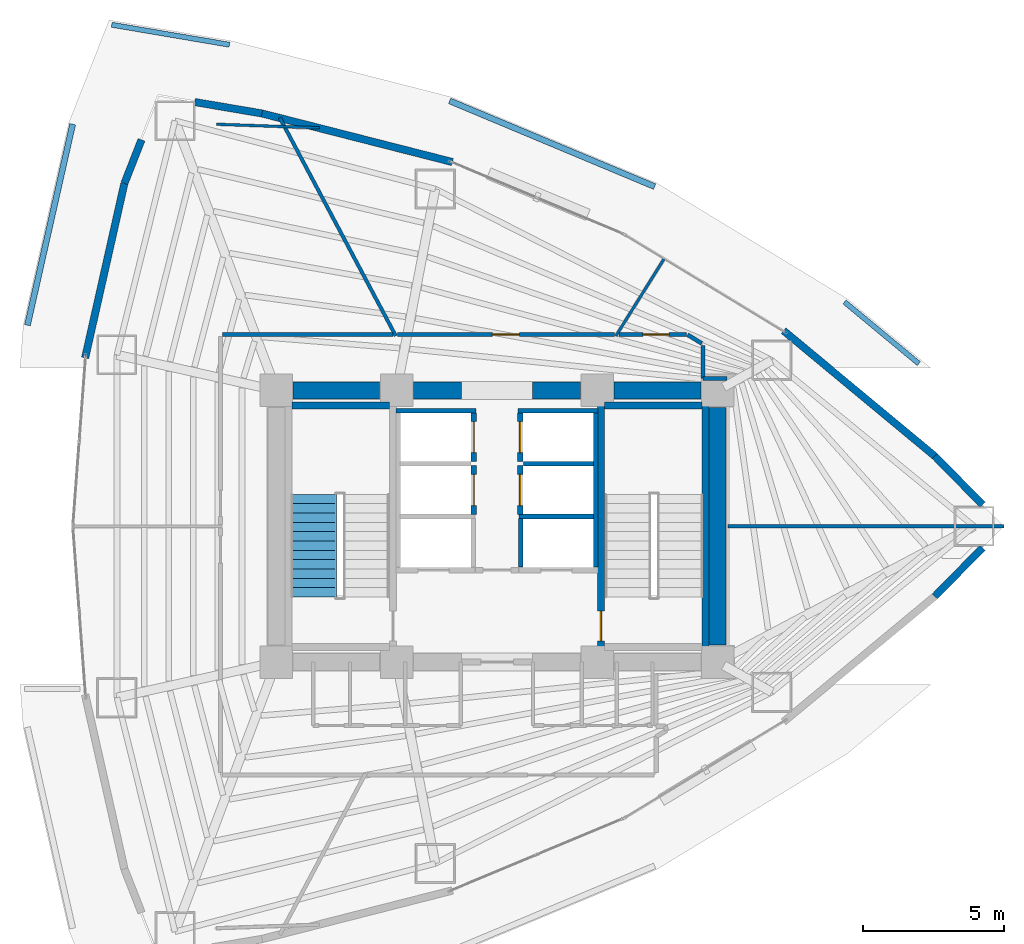
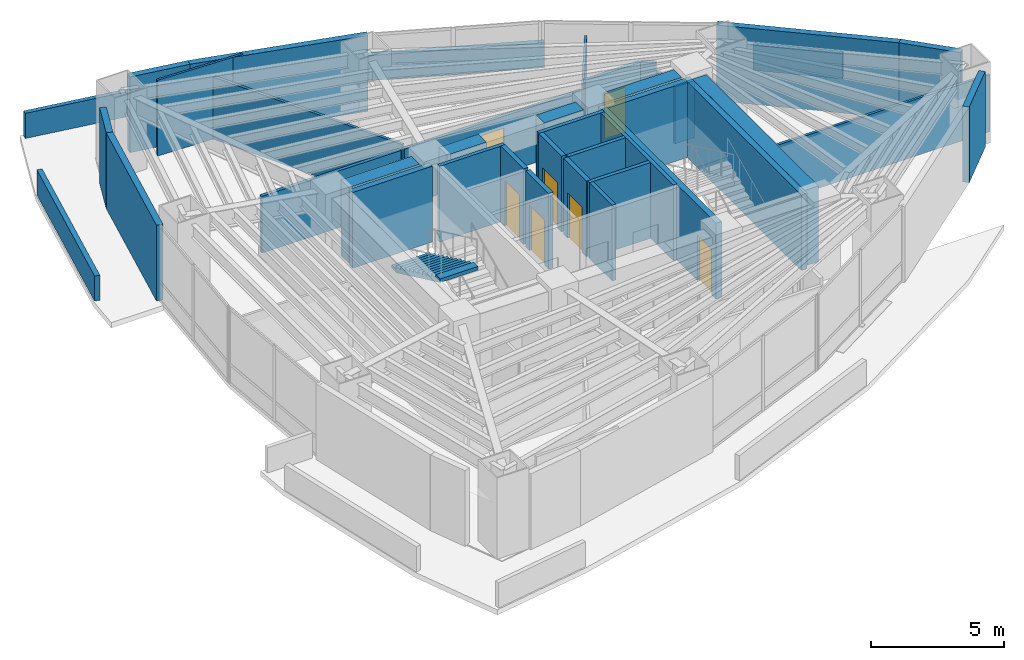
# One storey, part 14 of 17: 40 walls, 7 doors, 1 stair flight, 7 openings, 1 element without a shape of its own.
"""IFC4 building model written with IfcOpenShell, lengths in metres."""

from ifc_helpers import new_model, si_unit, direction, frame, frame_2d, origin, place, context, subcontext, project, spatial, polyline, rectangle, outline, extrude, material, layer, layer_set, type_object, element, fill, aggregate, save


model = new_model("IFC4")

# Units and contexts
model_context = context("Model", 3, precision=1e-05, world=origin(), true_north=direction((0.0, 1.0)))
body_context = subcontext(model_context, "Body", "Model", "MODEL_VIEW")
ifc_project = project(units=[si_unit("LENGTHUNIT", "METRE"), si_unit("AREAUNIT", "SQUARE_METRE"), si_unit("VOLUMEUNIT", "CUBIC_METRE"), si_unit("PLANEANGLEUNIT", "RADIAN"), si_unit("MASSUNIT", "GRAM", prefix="KILO")], contexts=[model_context])

# Site, building, storey
site_placement = place(None, origin())
site = spatial("IfcSite", under=ifc_project, at=site_placement, CompositionType="ELEMENT")
building_placement = place(site_placement, origin())
building = spatial("IfcBuilding", under=site, at=building_placement, Name="Menara Vayukalpa", CompositionType="ELEMENT")
storey_placement = place(building_placement, frame((0.0, 0.0, 27.60009765625)))
storey = spatial("IfcBuildingStorey", under=building, at=storey_placement, Name="L05", CompositionType="ELEMENT", Elevation=27.60009765625)

# Walls
ifc_material_1 = material(Name="Concrete C70/85", Category="concrete")
ifc_layer_1 = layer(ifc_material_1, 0.60009765625)
ifc_layer_set_1 = layer_set([ifc_layer_1], Name="Concrete C70/85")
wall_type_1 = type_object("IfcWallType", Name="WAL-CW600", PredefinedType="SHEAR", material=ifc_layer_set_1)
wall_1_placement = place(storey_placement, frame((18.39501953125, 26.800048828125, 0.0), z_axis=(0.0, 0.0, 1.0), x_axis=(1.0, 0.0, 0.0)))
element("IfcWall", 1, at=wall_1_placement, inside=storey, type_object=wall_type_1, Name="L05 Buttressed Core Shear Wall CWN1", PredefinedType="SHEAR", context=body_context, shape_type="SweptSolid", body=[
    extrude(rectangle(XDim=3.06005859375, YDim=0.60009765625, at=frame_2d((1.530029296875, 0.0))), origin(), (0.0, 0.0, 1.0), 3.469970703125),
])
wall_2_placement = place(storey_placement, frame((22.64501953125, 26.800048828125, 0.0), z_axis=(0.0, 0.0, 1.0), x_axis=(1.0, 0.0, 0.0)))
element("IfcWall", 2, at=wall_2_placement, inside=storey, type_object=wall_type_1, Name="L05 Buttressed Core Shear Wall CWN2", PredefinedType="SHEAR", context=body_context, shape_type="SweptSolid", body=[
    extrude(rectangle(XDim=1.705078125, YDim=0.60009765625, at=frame_2d((0.8525390625, 0.0))), origin(), (0.0, 0.0, 1.0), 3.469970703125),
])
wall_3_placement = place(storey_placement, frame((26.85009765625, 26.800048828125, 0.0), z_axis=(0.0, 0.0, 1.0), x_axis=(1.0, 0.0, 0.0)))
element("IfcWall", 3, at=wall_3_placement, inside=storey, type_object=wall_type_1, Name="L05 Buttressed Core Shear Wall CWN3", PredefinedType="SHEAR", context=body_context, shape_type="SweptSolid", body=[
    extrude(rectangle(XDim=1.704833984375, YDim=0.60009765625, at=frame_2d((0.8525390625, 0.0))), origin(), (0.0, 0.0, 1.0), 3.469970703125),
])
wall_4_placement = place(storey_placement, frame((29.7451171875, 26.800048828125, 0.0), z_axis=(0.0, 0.0, 1.0), x_axis=(1.0, 0.0, 0.0)))
element("IfcWall", 4, at=wall_4_placement, inside=storey, type_object=wall_type_1, Name="L05 Buttressed Core Shear Wall CWN4", PredefinedType="SHEAR", context=body_context, shape_type="SweptSolid", body=[
    extrude(rectangle(XDim=3.059814453125, YDim=0.60009765625, at=frame_2d((1.52978515625, 0.0))), origin(), (0.0, 0.0, 1.0), 3.469970703125),
])
wall_5_placement = place(storey_placement, frame((33.39990234375, 17.794921875, 0.0), z_axis=(0.0, 0.0, 1.0), x_axis=(0.0, 1.0, 0.0)))
element("IfcWall", 5, at=wall_5_placement, inside=storey, type_object=wall_type_1, Name="L05 Buttressed Core Shear Wall CWE1", PredefinedType="SHEAR", context=body_context, shape_type="SweptSolid", body=[
    extrude(rectangle(XDim=8.41015625, YDim=0.60009765625, at=frame_2d((4.205078125, 0.0))), origin(), (0.0, 0.0, 1.0), 3.469970703125),
])
ifc_material_2 = material(Name="Insulated Precast Concrete C40/50", Category="concrete")
ifc_layer_2 = layer(ifc_material_2, 0.260009765625)
ifc_layer_set_2 = layer_set([ifc_layer_2], Name="Insulated Precast Concrete C40/50")
wall_type_2 = type_object("IfcWallType", Name="WAL-EXT260", PredefinedType="PARTITIONING", material=ifc_layer_set_2)
for number, where, z_axis, x_axis, name in (
    (6, (42.770263671875, 21.24169921875, 0.0), (0.0, 0.0, 1.0), (-0.70059851419, -0.713555689427, 0.0), "L05 Perimeter Terracotta Pier Wall 01"),
    (7, (41.08056640625, 24.479248046875, 0.0), (0.0, 0.0, 1.0), (0.70059851419, -0.713555689427, 0.0), "L05 Perimeter Terracotta Pier Wall 02"),
):
    element("IfcWall", number, at=place(storey_placement, frame(where, z_axis=z_axis, x_axis=x_axis)), inside=storey, type_object=wall_type_2, Name=name, PredefinedType="PARTITIONING", context=body_context, shape_type="SweptSolid", body=[
        extrude(rectangle(XDim=2.411865234375, YDim=0.260009765625, at=frame_2d((1.2060546875, 0.0))), origin(), (0.0, 0.0, 1.0), 3.469970703125),
    ])
for number, where, z_axis, x_axis, name in (
    (8, (35.732421875, 28.91357421875, 0.0), (0.0, 0.0, 1.0), (0.769754596928, -0.638339925517, 0.0), "L05 Perimeter Terracotta Pier Wall 03"),
    (9, (17.28173828125, 36.595703125, 0.0), (0.0, 0.0, 1.0), (0.968977974408, -0.247147092057, 0.0), "L05 Perimeter Terracotta Pier Wall 06"),
):
    element("IfcWall", number, at=place(storey_placement, frame(where, z_axis=z_axis, x_axis=x_axis)), inside=storey, type_object=wall_type_2, Name=name, PredefinedType="PARTITIONING", context=body_context, shape_type="SweptSolid", body=[
        extrude(rectangle(XDim=6.959228515625, YDim=0.260009765625, at=frame_2d((3.4794921875, 0.0))), origin(), (0.0, 0.0, 1.0), 3.469970703125),
    ])
wall_6_placement = place(storey_placement, frame((14.915283203125, 36.996826171875, 0.0), z_axis=(0.0, 0.0, 1.0), x_axis=(0.985905469923, -0.167303330437, 0.0)))
element("IfcWall", 10, at=wall_6_placement, inside=storey, type_object=wall_type_2, Name="L05 Perimeter Terracotta Pier Wall 07", PredefinedType="PARTITIONING", context=body_context, shape_type="SweptSolid", body=[
    extrude(rectangle(XDim=2.412109375, YDim=0.260009765625, at=frame_2d((1.2060546875, 0.0))), origin(), (0.0, 0.0, 1.0), 3.469970703125),
])
wall_7_placement = place(storey_placement, frame((12.427490234375, 34.119140625, 0.0), z_axis=(0.0, 0.0, 1.0), x_axis=(0.365666052462, 0.930746119023, 0.0)))
element("IfcWall", 11, at=wall_7_placement, inside=storey, type_object=wall_type_2, Name="L05 Perimeter Terracotta Pier Wall 08", PredefinedType="PARTITIONING", context=body_context, shape_type="SweptSolid", body=[
    extrude(rectangle(XDim=1.656494140625, YDim=0.260009765625, at=frame_2d((0.828125, 0.0))), origin(), (0.0, 0.0, 1.0), 3.469970703125),
])
wall_8_placement = place(storey_placement, frame((11.0400390625, 27.952392578125, 0.0), z_axis=(0.0, 0.0, 1.0), x_axis=(0.219502085231, 0.975612030768, 0.0)))
element("IfcWall", 12, at=wall_8_placement, inside=storey, type_object=wall_type_2, Name="L05 Perimeter Terracotta Pier Wall 09", PredefinedType="PARTITIONING", context=body_context, shape_type="SweptSolid", body=[
    extrude(rectangle(XDim=6.32080078125, YDim=0.260009765625, at=frame_2d((3.160400390625, 0.0))), origin(), (0.0, 0.0, 1.0), 3.469970703125),
])
ifc_material_3 = material(Name="Lightweight Concrete Blockwork C16/20", Category="masonry")
ifc_layer_3 = layer(ifc_material_3, 0.159912109375)
ifc_layer_set_3 = layer_set([ifc_layer_3], Name="Lightweight Concrete Blockwork C16/20")
wall_type_3 = type_object("IfcWallType", Name="WAL-FR150", PredefinedType="PARTITIONING", material=ifc_layer_set_3)
wall_9_placement = place(storey_placement, frame((22.030029296875, 26.0849609375, 0.0), z_axis=(0.0, 0.0, 1.0), x_axis=(1.0, 0.0, 0.0)))
element("IfcWall", 13, at=wall_9_placement, inside=storey, type_object=wall_type_3, Name="L05 Interior Partition IW-L05-SHM-W3N", PredefinedType="PARTITIONING", context=body_context, shape_type="SweptSolid", body=[
    extrude(rectangle(XDim=2.830078125, YDim=0.159912109375, at=frame_2d((1.4150390625, 0.0))), origin(), (0.0, 0.0, 1.0), 3.469970703125),
])
wall_10_placement = place(storey_placement, frame((29.094970703125, 20.56005859375, 0.0), z_axis=(0.0, 0.0, 1.0), x_axis=(0.0, 1.0, 0.0)))
element("IfcWall", 14, at=wall_10_placement, inside=storey, type_object=wall_type_3, Name="L05 Interior Partition IW-L05-SHW-EE", PredefinedType="PARTITIONING", context=body_context, shape_type="SweptSolid", body=[
    extrude(rectangle(XDim=5.449951171875, YDim=0.159912109375, at=frame_2d((2.72509765625, 0.0))), origin(), (0.0, 0.0, 1.0), 3.469970703125),
])
wall_11_placement = place(storey_placement, frame((26.445068359375, 20.56005859375, 0.0), z_axis=(0.0, 0.0, 1.0), x_axis=(0.0, 1.0, 0.0)))
element("IfcWall", 15, at=wall_11_placement, inside=storey, type_object=wall_type_3, Name="L05 Interior Partition IW-L05-SHW-E1W", PredefinedType="PARTITIONING", context=body_context, shape_type="SweptSolid", body=[
    extrude(rectangle(XDim=1.7099609375, YDim=0.159912109375, at=frame_2d((0.85498046875, 0.0))), origin(), (0.0, 0.0, 1.0), 3.469970703125),
])
wall_12_placement = place(storey_placement, frame((26.3701171875, 22.344970703125, 0.0), z_axis=(0.0, 0.0, 1.0), x_axis=(1.0, 0.0, 0.0)))
element("IfcWall", 16, at=wall_12_placement, inside=storey, type_object=wall_type_3, Name="L05 Interior Partition IW-L05-SHM-E13", PredefinedType="PARTITIONING", context=body_context, shape_type="SweptSolid", body=[
    extrude(rectangle(XDim=2.64990234375, YDim=0.159912109375, at=frame_2d((1.324951171875, 0.0))), origin(), (0.0, 0.0, 1.0), 3.469970703125),
])
wall_13_placement = place(storey_placement, frame((26.530029296875, 24.215087890625, 0.0), z_axis=(0.0, 0.0, 1.0), x_axis=(1.0, 0.0, 0.0)))
element("IfcWall", 17, at=wall_13_placement, inside=storey, type_object=wall_type_3, Name="L05 Interior Partition IW-L05-SHM-E32", PredefinedType="PARTITIONING", context=body_context, shape_type="SweptSolid", body=[
    extrude(rectangle(XDim=2.489990234375, YDim=0.159912109375, at=frame_2d((1.2451171875, 0.0))), origin(), (0.0, 0.0, 1.0), 3.469970703125),
])
wall_14_placement = place(storey_placement, frame((26.340087890625, 26.0849609375, 0.0), z_axis=(0.0, 0.0, 1.0), x_axis=(1.0, 0.0, 0.0)))
element("IfcWall", 18, at=wall_14_placement, inside=storey, type_object=wall_type_3, Name="L05 Interior Partition IW-L05-SHM-E2N", PredefinedType="PARTITIONING", context=body_context, shape_type="SweptSolid", body=[
    extrude(rectangle(XDim=2.829833984375, YDim=0.159912109375, at=frame_2d((1.4150390625, 0.0))), origin(), (0.0, 0.0, 1.0), 3.469970703125),
])

# Wall, opening, door
ifc_material_4 = material(Name="Lightweight Concrete Blockwork C16/20", Category="masonry")
ifc_layer_4 = layer(ifc_material_4, 0.199951171875)
ifc_layer_set_4 = layer_set([ifc_layer_4], Name="Lightweight Concrete Blockwork C16/20")
wall_type_4 = type_object("IfcWallType", Name="WAL-FR200", PredefinedType="PARTITIONING", material=ifc_layer_set_4)
wall_15_placement = place(storey_placement, frame((24.780029296875, 22.419921875, 0.0), z_axis=(0.0, 0.0, 1.0), x_axis=(0.0, 1.0, 0.0)))
wall_15 = element("IfcWall", 19, at=wall_15_placement, inside=storey, type_object=wall_type_4, Name="L05 Interior Partition IW-L05-SH-W2", PredefinedType="PARTITIONING", context=body_context, shape_type="SweptSolid", body=[
    extrude(rectangle(XDim=1.719970703125, YDim=0.199951171875, at=frame_2d((0.85986328125, 0.0))), origin(), (0.0, 0.0, 1.0), 3.469970703125),
])
opening_1_placement = place(wall_15_placement, frame((0.31005859375, 0.0, 0.0)))
opening_1 = element("IfcOpeningElement", 20, at=opening_1_placement, cuts=wall_15, Name="Opening LD1", PredefinedType="OPENING", context=body_context, shape_type="SweptSolid", body=[
    extrude(rectangle(XDim=1.10009765625, YDim=2.080078125, at=frame_2d((0.550048828125, 1.0400390625))), frame((0.0, 0.10986328125, 0.0), z_axis=(0.0, -1.0, 0.0), x_axis=(1.0, 0.0, 0.0)), (0.0, 0.0, 1.0), 0.219970703125),
])
ifc_material_5 = material(Name="Brushed Stainless Steel 316 Lift Door", Category="steel")
door_type_1 = type_object("IfcDoorType", Name="DR-LD110", OperationType="NOTDEFINED", PredefinedType="DOOR", material=ifc_material_5)
door_1_placement = place(opening_1_placement, origin())
door_1 = element("IfcDoor", 21, at=door_1_placement, inside=storey, type_object=door_type_1, Name="L05 Interior Door DR-L05-LD-W2", OperationType="DOUBLE_DOOR_SLIDING", OverallHeight=2.080078125, OverallWidth=1.10009765625, PredefinedType="DOOR", context=body_context, shape_type="SweptSolid", body=[
    extrude(rectangle(XDim=1.10009765625, YDim=2.080078125, at=frame_2d((0.550048828125, 1.0400390625))), frame((0.0, 0.02490234375, 0.0), z_axis=(0.0, -1.0, 0.0), x_axis=(1.0, 0.0, 0.0)), (0.0, 0.0, 1.0), 0.050048828125),
])
fill(opening_1, door_1)

wall_16_placement = place(storey_placement, frame((24.780029296875, 24.2900390625, 0.0), z_axis=(0.0, 0.0, 1.0), x_axis=(0.0, 1.0, 0.0)))
wall_16 = element("IfcWall", 22, at=wall_16_placement, inside=storey, type_object=wall_type_4, Name="L05 Interior Partition IW-L05-SH-W3", PredefinedType="PARTITIONING", context=body_context, shape_type="SweptSolid", body=[
    extrude(rectangle(XDim=1.719970703125, YDim=0.199951171875, at=frame_2d((0.85986328125, 0.0))), origin(), (0.0, 0.0, 1.0), 3.469970703125),
])
opening_2_placement = place(wall_16_placement, frame((0.31005859375, 0.0, 0.0)))
opening_2 = element("IfcOpeningElement", 23, at=opening_2_placement, cuts=wall_16, Name="Opening LD1", PredefinedType="OPENING", context=body_context, shape_type="SweptSolid", body=[
    extrude(rectangle(XDim=1.10009765625, YDim=2.080078125, at=frame_2d((0.550048828125, 1.0400390625))), frame((0.0, 0.10986328125, 0.0), z_axis=(0.0, -1.0, 0.0), x_axis=(1.0, 0.0, 0.0)), (0.0, 0.0, 1.0), 0.219970703125),
])
door_2_placement = place(opening_2_placement, origin())
door_2 = element("IfcDoor", 24, at=door_2_placement, inside=storey, type_object=door_type_1, Name="L05 Interior Door DR-L05-LD-W3", OperationType="DOUBLE_DOOR_SLIDING", OverallHeight=2.080078125, OverallWidth=1.10009765625, PredefinedType="DOOR", context=body_context, shape_type="SweptSolid", body=[
    extrude(rectangle(XDim=1.10009765625, YDim=2.080078125, at=frame_2d((0.550048828125, 1.0400390625))), frame((0.0, 0.02490234375, 0.0), z_axis=(0.0, -1.0, 0.0), x_axis=(1.0, 0.0, 0.0)), (0.0, 0.0, 1.0), 0.050048828125),
])
fill(opening_2, door_2)

wall_17_placement = place(storey_placement, frame((26.419921875, 22.419921875, 0.0), z_axis=(0.0, 0.0, 1.0), x_axis=(0.0, 1.0, 0.0)))
wall_17 = element("IfcWall", 25, at=wall_17_placement, inside=storey, type_object=wall_type_4, Name="L05 Interior Partition IW-L05-SH-E3", PredefinedType="PARTITIONING", context=body_context, shape_type="SweptSolid", body=[
    extrude(rectangle(XDim=1.719970703125, YDim=0.199951171875, at=frame_2d((0.85986328125, 0.0))), origin(), (0.0, 0.0, 1.0), 3.469970703125),
])
opening_3_placement = place(wall_17_placement, frame((0.31005859375, 0.0, 0.0)))
opening_3 = element("IfcOpeningElement", 26, at=opening_3_placement, cuts=wall_17, Name="Opening LD1", PredefinedType="OPENING", context=body_context, shape_type="SweptSolid", body=[
    extrude(rectangle(XDim=1.10009765625, YDim=2.080078125, at=frame_2d((0.550048828125, 1.0400390625))), frame((0.0, 0.10986328125, 0.0), z_axis=(0.0, -1.0, 0.0), x_axis=(1.0, 0.0, 0.0)), (0.0, 0.0, 1.0), 0.219970703125),
])
door_3_placement = place(opening_3_placement, origin())
door_3 = element("IfcDoor", 27, at=door_3_placement, inside=storey, type_object=door_type_1, Name="L05 Interior Door DR-L05-LD-E3", OperationType="DOUBLE_DOOR_SLIDING", OverallHeight=2.080078125, OverallWidth=1.10009765625, PredefinedType="DOOR", context=body_context, shape_type="SweptSolid", body=[
    extrude(rectangle(XDim=1.10009765625, YDim=2.080078125, at=frame_2d((0.550048828125, 1.0400390625))), frame((0.0, 0.02490234375, 0.0), z_axis=(0.0, -1.0, 0.0), x_axis=(1.0, 0.0, 0.0)), (0.0, 0.0, 1.0), 0.050048828125),
])
fill(opening_3, door_3)

wall_18_placement = place(storey_placement, frame((26.419921875, 24.2900390625, 0.0), z_axis=(0.0, 0.0, 1.0), x_axis=(0.0, 1.0, 0.0)))
wall_18 = element("IfcWall", 28, at=wall_18_placement, inside=storey, type_object=wall_type_4, Name="L05 Interior Partition IW-L05-SH-E2", PredefinedType="PARTITIONING", context=body_context, shape_type="SweptSolid", body=[
    extrude(rectangle(XDim=1.719970703125, YDim=0.199951171875, at=frame_2d((0.85986328125, 0.0))), origin(), (0.0, 0.0, 1.0), 3.469970703125),
])
opening_4_placement = place(wall_18_placement, frame((0.31005859375, 0.0, 0.0)))
opening_4 = element("IfcOpeningElement", 29, at=opening_4_placement, cuts=wall_18, Name="Opening LD1", PredefinedType="OPENING", context=body_context, shape_type="SweptSolid", body=[
    extrude(rectangle(XDim=1.10009765625, YDim=2.080078125, at=frame_2d((0.550048828125, 1.0400390625))), frame((0.0, 0.10986328125, 0.0), z_axis=(0.0, -1.0, 0.0), x_axis=(1.0, 0.0, 0.0)), (0.0, 0.0, 1.0), 0.219970703125),
])
door_4_placement = place(opening_4_placement, origin())
door_4 = element("IfcDoor", 30, at=door_4_placement, inside=storey, type_object=door_type_1, Name="L05 Interior Door DR-L05-LD-E2", OperationType="DOUBLE_DOOR_SLIDING", OverallHeight=2.080078125, OverallWidth=1.10009765625, PredefinedType="DOOR", context=body_context, shape_type="SweptSolid", body=[
    extrude(rectangle(XDim=1.10009765625, YDim=2.080078125, at=frame_2d((0.550048828125, 1.0400390625))), frame((0.0, 0.02490234375, 0.0), z_axis=(0.0, -1.0, 0.0), x_axis=(1.0, 0.0, 0.0)), (0.0, 0.0, 1.0), 0.050048828125),
])
fill(opening_4, door_4)

# Walls
ifc_material_6 = material(Name="Precast Concrete C40/50", Category="concrete")
ifc_layer_5 = layer(ifc_material_6, 0.179931640625)
ifc_layer_set_5 = layer_set([ifc_layer_5], Name="Precast Concrete C40/50")
wall_type_5 = type_object("IfcWallType", Name="WAL-PAR180", PredefinedType="PARAPET", material=ifc_layer_set_5)
wall_19_placement = place(storey_placement, frame((11.98046875, 39.729248046875, 0.0), z_axis=(0.0, 0.0, 1.0), x_axis=(0.985895567975, -0.167361671382, 0.0)))
element("IfcWall", 31, at=wall_19_placement, inside=storey, type_object=wall_type_5, Name="Podium Roof Parapet Wall 02", PredefinedType="PARAPET", context=body_context, shape_type="SweptSolid", body=[
    extrude(rectangle(XDim=4.2216796875, YDim=0.179931640625, at=frame_2d((2.11083984375, 0.0))), origin(), (0.0, 0.0, 1.0), 1.14990234375),
])
wall_20_placement = place(storey_placement, frame((37.885986328125, 29.9287109375, 0.0), z_axis=(0.0, 0.0, 1.0), x_axis=(0.769720237207, -0.638381356584, 0.0)))
element("IfcWall", 32, at=wall_20_placement, inside=storey, type_object=wall_type_5, Name="Podium Roof Parapet Wall 04", PredefinedType="PARAPET", context=body_context, shape_type="SweptSolid", body=[
    extrude(rectangle(XDim=3.412841796875, YDim=0.179931640625, at=frame_2d((1.70654296875, 0.0))), origin(), (0.0, 0.0, 1.0), 1.14990234375),
])
ifc_material_7 = material(Name="Precast Concrete C40/50", Category="concrete")
ifc_layer_6 = layer(ifc_material_7, 0.2099609375)
ifc_layer_set_6 = layer_set([ifc_layer_6], Name="Precast Concrete C40/50")
wall_type_6 = type_object("IfcWallType", Name="WAL-PAR210", PredefinedType="PARAPET", material=ifc_layer_set_6)
wall_21_placement = place(storey_placement, frame((9.000732421875, 29.106689453125, 0.0), z_axis=(0.0, 0.0, 1.0), x_axis=(0.219520170018, 0.975607961712, 0.0)))
element("IfcWall", 33, at=wall_21_placement, inside=storey, type_object=wall_type_6, Name="Podium Roof Parapet Wall 01", PredefinedType="PARAPET", context=body_context, shape_type="SweptSolid", body=[
    extrude(rectangle(XDim=7.28466796875, YDim=0.2099609375, at=frame_2d((3.642333984375, 0.0))), origin(), (0.0, 0.0, 1.0), 1.14990234375),
])
wall_22_placement = place(storey_placement, frame((23.927001953125, 37.037353515625, 0.0), z_axis=(0.0, 0.0, 1.0), x_axis=(0.922553724433, -0.385868663582, 0.0)))
element("IfcWall", 34, at=wall_22_placement, inside=storey, type_object=wall_type_6, Name="Podium Roof Parapet Wall 03", PredefinedType="PARAPET", context=body_context, shape_type="SweptSolid", body=[
    extrude(rectangle(XDim=7.8544921875, YDim=0.2099609375, at=frame_2d((3.92724609375, 0.0))), origin(), (0.0, 0.0, 1.0), 1.14990234375),
])
ifc_material_8 = material(Name="Glazed Demountable Office Partition", Category="glass")
ifc_layer_7 = layer(ifc_material_8, 0.094970703125)
ifc_layer_set_7 = layer_set([ifc_layer_7], Name="Glazed Demountable Office Partition")
wall_type_7 = type_object("IfcWallType", Name="WAL-PT100", PredefinedType="PARTITIONING", material=ifc_layer_set_7)
wall_23_placement = place(storey_placement, frame((29.805419921875, 28.72998046875, 0.0), z_axis=(0.0, 0.0, 1.0), x_axis=(0.529903768235, 0.848057778934, 0.0)))
element("IfcWall", 35, at=wall_23_placement, inside=storey, type_object=wall_type_7, Name="L05 Interior Partition IW-L05-RDIV02", PredefinedType="PARTITIONING", context=body_context, shape_type="SweptSolid", body=[
    extrude(rectangle(XDim=3.228271484375, YDim=0.094970703125, at=frame_2d((1.6142578125, 0.0))), origin(), (0.0, 0.0, 1.0), 2.849853515625),
])
wall_24_placement = place(storey_placement, frame((19.3291015625, 36.083740234375, 0.0), z_axis=(0.0, 0.0, 1.0), x_axis=(-0.999389725088, 0.03493103762, 0.0)))
element("IfcWall", 36, at=wall_24_placement, inside=storey, type_object=wall_type_7, Name="L05 Interior Partition IW-L05-RDIV06", PredefinedType="PARTITIONING", context=body_context, shape_type="SweptSolid", body=[
    extrude(rectangle(XDim=3.641357421875, YDim=0.094970703125, at=frame_2d((1.82080078125, 0.0))), origin(), (0.0, 0.0, 1.0), 3.469970703125),
])
ifc_material_9 = material(Name="Acoustic Mineral Stud Partition", Category="masonry")
ifc_layer_8 = layer(ifc_material_9, 0.110107421875)
ifc_layer_set_8 = layer_set([ifc_layer_8], Name="Acoustic Mineral Stud Partition")
wall_type_8 = type_object("IfcWallType", Name="WAL-PT110", PredefinedType="PARTITIONING", material=ifc_layer_set_8)
wall_25_placement = place(storey_placement, frame((33.77001953125, 22.0, 0.0), z_axis=(0.0, 0.0, 1.0), x_axis=(1.0, 0.0, 0.0)))
element("IfcWall", 37, at=wall_25_placement, inside=storey, type_object=wall_type_8, Name="L05 Interior Partition IW-L05-RDIV01", PredefinedType="PARTITIONING", context=body_context, shape_type="SweptSolid", body=[
    extrude(rectangle(XDim=9.7548828125, YDim=0.110107421875, at=frame_2d((4.87744140625, 0.0))), origin(), (0.0, 0.0, 1.0), 2.599853515625),
])
ifc_material_10 = material(Name="Gypsum Drywall Steel Stud Assembly", Category="steel")
ifc_layer_9 = layer(ifc_material_10, 0.125)
ifc_layer_set_9 = layer_set([ifc_layer_9], Name="Gypsum Drywall Steel Stud Assembly")
wall_type_9 = type_object("IfcWallType", Name="WAL-PT125", PredefinedType="PARTITIONING", material=ifc_layer_set_9)
wall_26_placement = place(storey_placement, frame((22.021484375, 28.72998046875, 0.0), z_axis=(0.0, 0.0, 1.0), x_axis=(-0.469465111929, 0.88295102281, 0.0)))
element("IfcWall", 38, at=wall_26_placement, inside=storey, type_object=wall_type_9, Name="L05 Interior Partition IW-L05-RDIV03", PredefinedType="PARTITIONING", context=body_context, shape_type="SweptSolid", body=[
    extrude(rectangle(XDim=8.735595703125, YDim=0.125, at=frame_2d((4.36767578125, 0.0))), origin(), (0.0, 0.0, 1.0), 2.849853515625),
])
ifc_material_11 = material(Name="Gypsum Drywall Acoustic Stud Assembly", Category="masonry")
ifc_layer_10 = layer(ifc_material_11, 0.14501953125)
ifc_layer_set_10 = layer_set([ifc_layer_10], Name="Gypsum Drywall Acoustic Stud Assembly")
wall_type_10 = type_object("IfcWallType", Name="WAL-PT150", PredefinedType="PARTITIONING", material=ifc_layer_set_10)
wall_27_placement = place(storey_placement, frame((33.739990234375, 27.219970703125, 0.0), z_axis=(0.0, 0.0, 1.0), x_axis=(-1.0, 0.0, 0.0)))
element("IfcWall", 39, at=wall_27_placement, inside=storey, type_object=wall_type_10, Name="L05 Interior Partition IW-L05-CRM04-1", PredefinedType="PARTITIONING", context=body_context, shape_type="SweptSolid", body=[
    extrude(rectangle(XDim=0.860107421875, YDim=0.14501953125, at=frame_2d((0.43017578125, 0.0))), origin(), (0.0, 0.0, 1.0), 2.599853515625),
])
wall_28_placement = place(storey_placement, frame((32.8798828125, 27.219970703125, 0.0), z_axis=(0.0, 0.0, 1.0), x_axis=(0.0, 1.0, 0.0)))
element("IfcWall", 40, at=wall_28_placement, inside=storey, type_object=wall_type_10, Name="L05 Interior Partition IW-L05-CRM04-2", PredefinedType="PARTITIONING", context=body_context, shape_type="SweptSolid", body=[
    extrude(rectangle(XDim=1.1748046875, YDim=0.14501953125, at=frame_2d((0.58740234375, 0.0))), origin(), (0.0, 0.0, 1.0), 2.599853515625),
])
wall_29_placement = place(storey_placement, frame((32.841552734375, 28.463134765625, 0.0), z_axis=(0.0, 0.0, 1.0), x_axis=(-0.854807247113, 0.518945633264, 0.0)))
element("IfcWall", 41, at=wall_29_placement, inside=storey, type_object=wall_type_10, Name="L05 Interior Partition IW-L05-CRM04-3", PredefinedType="PARTITIONING", context=body_context, shape_type="SweptSolid", body=[
    extrude(rectangle(XDim=0.588134765625, YDim=0.14501953125, at=frame_2d((0.2939453125, 0.0))), origin(), (0.0, 0.0, 1.0), 3.0),
])

# Wall, opening, door
wall_30_placement = place(storey_placement, frame((32.29736328125, 28.780029296875, 0.0), z_axis=(0.0, 0.0, 1.0), x_axis=(-1.0, 0.0, 0.0)))
wall_30 = element("IfcWall", 42, at=wall_30_placement, inside=storey, type_object=wall_type_10, Name="L05 Interior Partition IW-L05-CRM04-4", PredefinedType="PARTITIONING", context=body_context, shape_type="SweptSolid", body=[
    extrude(rectangle(XDim=2.378173828125, YDim=0.14501953125, at=frame_2d((1.18896484375, 0.0))), origin(), (0.0, 0.0, 1.0), 3.0),
])
opening_5_placement = place(wall_30_placement, frame((0.61669921875, 0.0, 0.0)))
opening_5 = element("IfcOpeningElement", 43, at=opening_5_placement, cuts=wall_30, Name="Opening ID6", PredefinedType="OPENING", context=body_context, shape_type="SweptSolid", body=[
    extrude(rectangle(XDim=0.919921875, YDim=2.050048828125, at=frame_2d((0.4599609375, 1.02490234375))), frame((0.0, 0.08251953125, 0.0), z_axis=(0.0, -1.0, 0.0), x_axis=(1.0, 0.0, 0.0)), (0.0, 0.0, 1.0), 0.1650390625),
])
ifc_material_12 = material(Name="Acoustic Hardwood Veneer Timber Door", Category="wood")
door_type_2 = type_object("IfcDoorType", Name="DR-INT92", OperationType="NOTDEFINED", PredefinedType="DOOR", material=ifc_material_12)
door_5_placement = place(opening_5_placement, origin())
door_5 = element("IfcDoor", 44, at=door_5_placement, inside=storey, type_object=door_type_2, Name="L05 Interior Door DR-L05-RM04", OperationType="SINGLE_SWING_RIGHT", OverallHeight=2.050048828125, OverallWidth=0.919921875, PredefinedType="DOOR", context=body_context, shape_type="SweptSolid", body=[
    extrude(rectangle(XDim=0.919921875, YDim=2.050048828125, at=frame_2d((0.4599609375, 1.02490234375))), frame((0.0, 0.02490234375, 0.0), z_axis=(0.0, -1.0, 0.0), x_axis=(1.0, 0.0, 0.0)), (0.0, 0.0, 1.0), 0.050048828125),
])
fill(opening_5, door_5)

wall_31_placement = place(storey_placement, frame((29.754150390625, 28.780029296875, 0.0), z_axis=(0.0, 0.0, 1.0), x_axis=(-1.0, 0.0, 0.0)))
wall_31 = element("IfcWall", 45, at=wall_31_placement, inside=storey, type_object=wall_type_10, Name="L05 Interior Partition IW-L05-CRM05-1", PredefinedType="PARTITIONING", context=body_context, shape_type="SweptSolid", body=[
    extrude(rectangle(XDim=7.679931640625, YDim=0.14501953125, at=frame_2d((3.83984375, 0.0))), origin(), (0.0, 0.0, 1.0), 2.599853515625),
])
opening_6_placement = place(wall_31_placement, frame((3.364990234375, 0.0, 0.0)))
opening_6 = element("IfcOpeningElement", 46, at=opening_6_placement, cuts=wall_31, Name="Opening ID5", PredefinedType="OPENING", context=body_context, shape_type="SweptSolid", body=[
    extrude(rectangle(XDim=0.949951171875, YDim=2.06005859375, at=frame_2d((0.47509765625, 1.030029296875))), frame((0.0, 0.08251953125, 0.0), z_axis=(0.0, -1.0, 0.0), x_axis=(1.0, 0.0, 0.0)), (0.0, 0.0, 1.0), 0.1650390625),
])
ifc_material_13 = material(Name="Acoustic Hardwood Veneer Timber Door", Category="wood")
door_type_3 = type_object("IfcDoorType", Name="DR-INT95", OperationType="NOTDEFINED", PredefinedType="DOOR", material=ifc_material_13)
door_6_placement = place(opening_6_placement, origin())
door_6 = element("IfcDoor", 47, at=door_6_placement, inside=storey, type_object=door_type_3, Name="L05 Interior Door DR-L05-RM05", OperationType="SINGLE_SWING_LEFT", OverallHeight=2.06005859375, OverallWidth=0.949951171875, PredefinedType="DOOR", context=body_context, shape_type="SweptSolid", body=[
    extrude(rectangle(XDim=0.949951171875, YDim=2.06005859375, at=frame_2d((0.47509765625, 1.030029296875))), frame((0.0, 0.02490234375, 0.0), z_axis=(0.0, -1.0, 0.0), x_axis=(1.0, 0.0, 0.0)), (0.0, 0.0, 1.0), 0.050048828125),
])
fill(opening_6, door_6)

# Walls
wall_32_placement = place(storey_placement, frame((21.915771484375, 28.780029296875, 0.0), z_axis=(0.0, 0.0, 1.0), x_axis=(-1.0, 0.0, 0.0)))
element("IfcWall", 48, at=wall_32_placement, inside=storey, type_object=wall_type_10, Name="L05 Interior Partition IW-L05-CRM06-1", PredefinedType="PARTITIONING", context=body_context, shape_type="SweptSolid", body=[
    extrude(rectangle(XDim=6.015869140625, YDim=0.14501953125, at=frame_2d((3.0078125, 0.0))), origin(), (0.0, 0.0, 1.0), 2.599853515625),
])
ifc_material_14 = material(Name="Concrete C50/60", Category="concrete")
ifc_layer_11 = layer(ifc_material_14, 0.25)
ifc_layer_set_11 = layer_set([ifc_layer_11], Name="Concrete C50/60")
wall_type_11 = type_object("IfcWallType", Name="WAL-SW250", PredefinedType="SHEAR", material=ifc_layer_set_11)
wall_33_placement = place(storey_placement, frame((18.35400390625, 26.27490234375, 0.0), z_axis=(0.0, 0.0, 1.0), x_axis=(1.0, 0.0, 0.0)))
element("IfcWall", 49, at=wall_33_placement, inside=storey, type_object=wall_type_11, Name="L05 ST1 Structural Stair Shaft Wall N", PredefinedType="SHEAR", context=body_context, shape_type="SweptSolid", body=[
    extrude(rectangle(XDim=3.446044921875, YDim=0.25, at=frame_2d((1.72314453125, 0.0))), origin(), (0.0, 0.0, 1.0), 3.469970703125),
])

# Wall, opening, door
wall_34_placement = place(storey_placement, frame((29.27490234375, 17.60009765625, 0.0), z_axis=(0.0, 0.0, 1.0), x_axis=(0.0, 1.0, 0.0)))
wall_34 = element("IfcWall", 50, at=wall_34_placement, inside=storey, type_object=wall_type_11, Name="L05 ST2 Structural Stair Shaft Wall W", PredefinedType="SHEAR", context=body_context, shape_type="SweptSolid", body=[
    extrude(rectangle(XDim=8.7998046875, YDim=0.25, at=frame_2d((4.39990234375, 0.0))), origin(), (0.0, 0.0, 1.0), 3.469970703125),
])
opening_7_placement = place(wall_34_placement, frame((0.35009765625, 0.0, 0.0)))
opening_7 = element("IfcOpeningElement", 51, at=opening_7_placement, cuts=wall_34, Name="Opening ID1", PredefinedType="OPENING", context=body_context, shape_type="SweptSolid", body=[
    extrude(rectangle(XDim=1.050048828125, YDim=2.080078125, at=frame_2d((0.52490234375, 1.0400390625))), frame((0.0, 0.135009765625, 0.0), z_axis=(0.0, -1.0, 0.0), x_axis=(1.0, 0.0, 0.0)), (0.0, 0.0, 1.0), 0.27001953125),
])
ifc_material_15 = material(Name="Fire-Rated Powder-Coated Steel Door", Category="steel")
door_type_4 = type_object("IfcDoorType", Name="DR-FD120", OperationType="NOTDEFINED", PredefinedType="DOOR", material=ifc_material_15)
door_7_placement = place(opening_7_placement, origin())
door_7 = element("IfcDoor", 52, at=door_7_placement, inside=storey, type_object=door_type_4, Name="L05 Stair Exit Door DR-L05-ST2", OperationType="SINGLE_SWING_RIGHT", OverallHeight=2.080078125, OverallWidth=1.050048828125, PredefinedType="DOOR", context=body_context, shape_type="SweptSolid", body=[
    extrude(rectangle(XDim=1.050048828125, YDim=2.080078125, at=frame_2d((0.52490234375, 1.0400390625))), frame((0.0, 0.02490234375, 0.0), z_axis=(0.0, -1.0, 0.0), x_axis=(1.0, 0.0, 0.0)), (0.0, 0.0, 1.0), 0.050048828125),
])
fill(opening_7, door_7)

# Walls
wall_35_placement = place(storey_placement, frame((32.970947265625, 17.60009765625, 0.0), z_axis=(0.0, 0.0, 1.0), x_axis=(0.0, 1.0, 0.0)))
element("IfcWall", 53, at=wall_35_placement, inside=storey, type_object=wall_type_11, Name="L05 ST2 Structural Stair Shaft Wall E", PredefinedType="SHEAR", context=body_context, shape_type="SweptSolid", body=[
    extrude(rectangle(XDim=8.7998046875, YDim=0.25, at=frame_2d((4.39990234375, 0.0))), origin(), (0.0, 0.0, 1.0), 3.469970703125),
])
wall_36_placement = place(storey_placement, frame((29.39990234375, 26.27490234375, 0.0), z_axis=(0.0, 0.0, 1.0), x_axis=(1.0, 0.0, 0.0)))
element("IfcWall", 54, at=wall_36_placement, inside=storey, type_object=wall_type_11, Name="L05 ST2 Structural Stair Shaft Wall N", PredefinedType="SHEAR", context=body_context, shape_type="SweptSolid", body=[
    extrude(rectangle(XDim=3.446044921875, YDim=0.25, at=frame_2d((1.72314453125, 0.0))), origin(), (0.0, 0.0, 1.0), 3.469970703125),
])

# Stair, stair flight
ifc_material_16 = material(Name="Precast Concrete C40/50", Category="concrete")
stair_type = type_object("IfcStairType", Name="STR-T04", PredefinedType="DOUBLE_RETURN_STAIR", material=ifc_material_16)
stair_placement = place(storey_placement, origin())
stair = element("IfcStair", 55, at=stair_placement, inside=storey, type_object=stair_type, Name="L05 Core Exit Stair ST-1", PredefinedType="DOUBLE_RETURN_STAIR")
ifc_material_17 = material(Name="Precast Concrete C40/50", Category="concrete")
stair_flight_type = type_object("IfcStairFlightType", Name="STF-T04", PredefinedType="STRAIGHT", material=ifc_material_17)
stair_flight_placement = place(storey_placement, frame((19.125, 23.1298828125, 1.85986328125), z_axis=(0.0, 0.0, 1.0), x_axis=(0.0, -1.0, 0.0)))
stair_flight = element("IfcStairFlight", 56, at=stair_flight_placement, type_object=stair_flight_type, Name="ST-1 flight 2", NumberOfRisers=12, NumberOfTreads=11, PredefinedType="STRAIGHT", RiserHeight=0.155, TreadLength=0.33, context=body_context, shape_type="SweptSolid", body=[
    extrude(outline(polyline([(0.0, 0.0), (0.0, 0.155029296875), (0.330078125, 0.155029296875), (0.330078125, 0.31005859375), (0.659912109375, 0.31005859375), (0.659912109375, 0.465087890625), (0.989990234375, 0.465087890625), (0.989990234375, 0.6201171875), (1.320068359375, 0.6201171875), (1.320068359375, 0.77490234375), (1.64990234375, 0.77490234375), (1.64990234375, 0.929931640625), (1.97998046875, 0.929931640625), (1.97998046875, 1.0849609375), (2.31005859375, 1.0849609375), (2.31005859375, 1.239990234375), (2.639892578125, 1.239990234375), (2.639892578125, 1.39501953125), (2.969970703125, 1.39501953125), (2.969970703125, 1.550048828125), (3.300048828125, 1.550048828125), (3.300048828125, 1.705078125), (3.6298828125, 1.705078125), (3.6298828125, 1.860107421875), (3.6298828125, 1.539306640625), (0.3525390625, 0.0), (0.0, 0.0)])), frame((0.0, 0.824951171875, 0.0), z_axis=(0.0, -1.0, 0.0), x_axis=(1.0, 0.0, 0.0)), (0.0, 0.0, 1.0), 1.64990234375),
])
aggregate(stair, [stair_flight])

save(model, "model.ifc")
